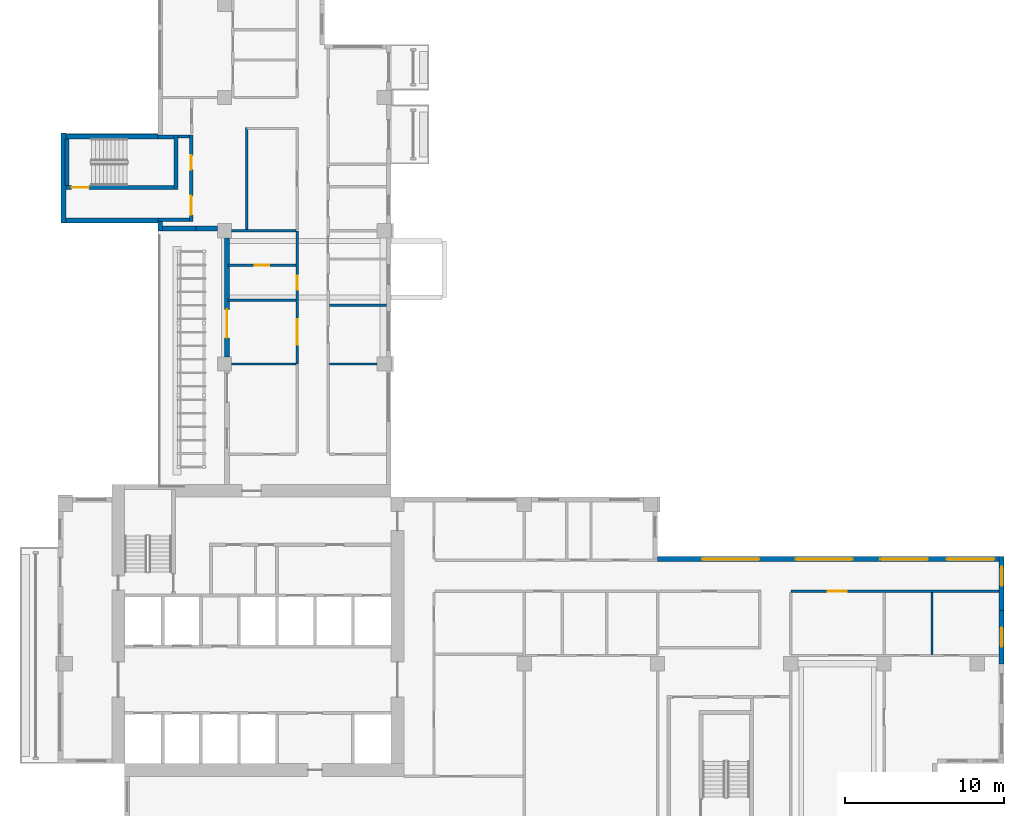
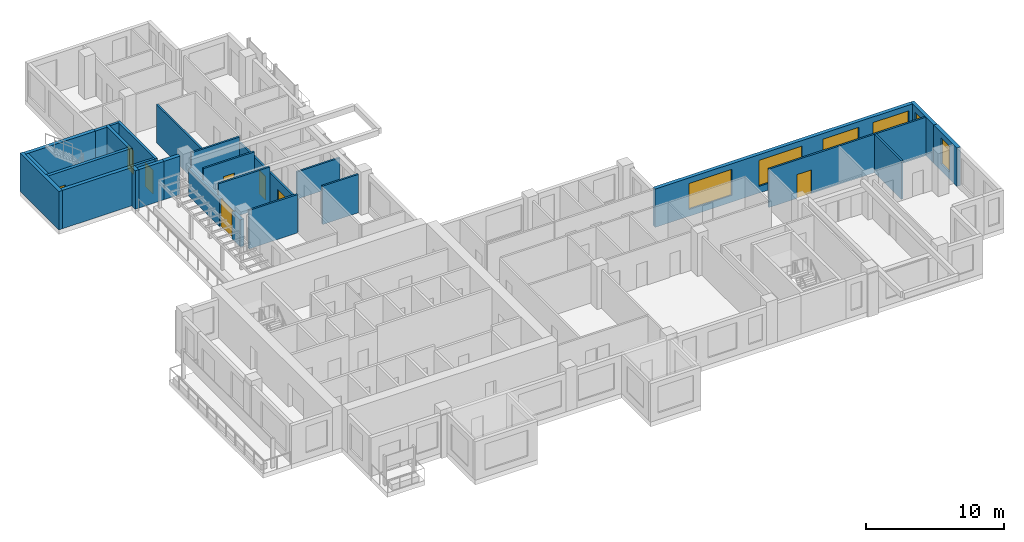
# One storey, part 8 of 14: 27 walls, 8 doors, 6 windows, 14 openings.
"""IFC4 building model written with IfcOpenShell, lengths in metres."""

from ifc_helpers import new_model, si_unit, direction, frame, frame_2d, origin, place, context, subcontext, project, spatial, rectangle, extrude, source, transform, mapped, material, layer, layer_set, type_object, element, fill, save


model = new_model("IFC4")

# Units and contexts
model_context = context("Model", 3, precision=1e-05, world=origin(), true_north=direction((0.0, 1.0)))
body_context = subcontext(model_context, "Body", "Model", "MODEL_VIEW")
ifc_project = project(units=[si_unit("LENGTHUNIT", "METRE"), si_unit("AREAUNIT", "SQUARE_METRE"), si_unit("VOLUMEUNIT", "CUBIC_METRE"), si_unit("PLANEANGLEUNIT", "RADIAN"), si_unit("MASSUNIT", "GRAM", prefix="KILO")], contexts=[model_context])

# Site, building, storey
site_placement = place(None, origin())
site = spatial("IfcSite", under=ifc_project, at=site_placement, CompositionType="ELEMENT")
building_placement = place(site_placement, origin())
building = spatial("IfcBuilding", under=site, at=building_placement, Name="Aurelian Terraces", CompositionType="ELEMENT")
storey_placement = place(building_placement, frame((0.0, 0.0, 185.4)))
storey = spatial("IfcBuildingStorey", under=building, at=storey_placement, Name="L40", CompositionType="ELEMENT", Elevation=185.4)

# Wall
ifc_material_1 = material(Name="Terracotta rainscreen cladding", Category="masonry")
ifc_layer_1 = layer(ifc_material_1, 0.3)
ifc_layer_set_1 = layer_set([ifc_layer_1], Name="EW-300")
wall_type_1 = type_object("IfcWallType", Name="EW-300", PredefinedType="STANDARD", material=ifc_layer_set_1)
wall_1_placement = place(storey_placement, frame((8.7, 37.95, 0.0), z_axis=(0.0, 0.0, 1.0), x_axis=(1.0, 0.0, 0.0)))
element("IfcWall", 1, at=wall_1_placement, inside=storey, type_object=wall_type_1, Name="External wall L40 F17.33", PredefinedType="STANDARD", context=body_context, shape_type="SweptSolid", body=[
    extrude(rectangle(XDim=1.35, YDim=0.3, at=frame_2d((0.675, 0.0))), origin(), (0.0, 0.0, 1.0), 3.4),
])

# Wall, opening, door
wall_2_placement = place(storey_placement, frame((10.65, 37.35, 0.0), z_axis=(0.0, 0.0, 1.0), x_axis=(0.0, -1.0, 0.0)))
wall_2 = element("IfcWall", 2, at=wall_2_placement, inside=storey, type_object=wall_type_1, Name="External wall L40 F18.34", PredefinedType="STANDARD", context=body_context, shape_type="SweptSolid", body=[
    extrude(rectangle(XDim=7.5, YDim=0.3, at=frame_2d((3.75, 0.0))), origin(), (0.0, 0.0, 1.0), 2.4),
])
shared_shape_1 = source(origin(), body_context, "Body", "SweptSolid", [
    extrude(rectangle(XDim=1.8, YDim=2.4, at=frame_2d((0.9, 1.2))), frame((0.0, 0.16, 0.0), z_axis=(0.0, -1.0, 0.0), x_axis=(1.0, 0.0, 0.0)), (0.0, 0.0, 1.0), 0.32),
])
opening_1_placement = place(wall_2_placement, frame((4.5, 0.0, 0.0)))
opening_1 = element("IfcOpeningElement", 3, at=opening_1_placement, cuts=wall_2, Name="Opening 84004", PredefinedType="OPENING", context=body_context, shape_type="MappedRepresentation", body=[
    mapped(shared_shape_1, transform((0.0, 0.0, 0.0), scale=1.0)),
])
ifc_material_2 = material(Name="Clear glazing", Category="glass")
door_type_1 = type_object("IfcDoorType", Name="BD-1800x2400", OperationType="SLIDING_TO_LEFT", PredefinedType="DOOR", material=ifc_material_2)
shared_shape_2 = source(origin(), body_context, "Body", "SweptSolid", [
    extrude(rectangle(XDim=1.8, YDim=2.4, at=frame_2d((0.9, 1.2))), frame((0.0, 0.025, 0.0), z_axis=(0.0, -1.0, 0.0), x_axis=(1.0, 0.0, 0.0)), (0.0, 0.0, 1.0), 0.05),
])
door_1_placement = place(opening_1_placement, origin())
door_1 = element("IfcDoor", 4, at=door_1_placement, inside=storey, type_object=door_type_1, Name="Terrace door L40 L40-F18-34.2", OperationType="SLIDING_TO_LEFT", OverallHeight=2.4, OverallWidth=1.8, PredefinedType="DOOR", context=body_context, shape_type="MappedRepresentation", body=[
    mapped(shared_shape_2, transform((0.0, 0.0, 0.0), scale=1.0)),
])
fill(opening_1, door_1)

# Wall, openings, doors
ifc_material_3 = material(Name="Gypsum board on steel studs", Category="steel")
ifc_layer_2 = layer(ifc_material_3, 0.15)
ifc_layer_set_2 = layer_set([ifc_layer_2], Name="Fire partition 150")
wall_type_2 = type_object("IfcWallType", Name="Fire partition 150", PredefinedType="PARTITIONING", material=ifc_layer_set_2)
wall_3_placement = place(storey_placement, frame((15.075, 29.4, 0.0), z_axis=(0.0, 0.0, 1.0), x_axis=(0.0, 1.0, 0.0)))
wall_3 = element("IfcWall", 5, at=wall_3_placement, inside=storey, type_object=wall_type_2, Name="Corridor wall", PredefinedType="PARTITIONING", context=body_context, shape_type="SweptSolid", body=[
    extrude(rectangle(XDim=8.4, YDim=0.15, at=frame_2d((4.2, 0.0))), origin(), (0.0, 0.0, 1.0), 2.9),
])
shared_shape_3 = source(origin(), body_context, "Body", "SweptSolid", [
    extrude(rectangle(XDim=1.6, YDim=2.1, at=frame_2d((0.8, 1.05))), frame((0.0, 0.085, 0.0), z_axis=(0.0, -1.0, 0.0), x_axis=(1.0, 0.0, 0.0)), (0.0, 0.0, 1.0), 0.17),
])
opening_2_placement = place(wall_3_placement, frame((1.2112, 0.0, 0.0)))
opening_2 = element("IfcOpeningElement", 6, at=opening_2_placement, cuts=wall_3, Name="Opening 740024", PredefinedType="OPENING", context=body_context, shape_type="MappedRepresentation", body=[
    mapped(shared_shape_3, transform((0.0, 0.0, 0.0), scale=1.0)),
])
shared_shape_4 = source(origin(), body_context, "Body", "SweptSolid", [
    extrude(rectangle(XDim=0.9, YDim=2.1, at=frame_2d((0.45, 1.05))), frame((0.0, 0.085, 0.0), z_axis=(0.0, -1.0, 0.0), x_axis=(1.0, 0.0, 0.0)), (0.0, 0.0, 1.0), 0.17),
])
opening_3_placement = place(wall_3_placement, frame((4.6776, 0.0, 0.0)))
opening_3 = element("IfcOpeningElement", 7, at=opening_3_placement, cuts=wall_3, Name="Opening 740025", PredefinedType="OPENING", context=body_context, shape_type="MappedRepresentation", body=[
    mapped(shared_shape_4, transform((0.0, 0.0, 0.0), scale=1.0)),
])
ifc_material_4 = material(Name="Steel door leaf", Category="steel")
door_type_2 = type_object("IfcDoorType", Name="Entrance fire door 900x2100 right", OperationType="SINGLE_SWING_RIGHT", PredefinedType="DOOR", material=ifc_material_4)
shared_shape_5 = source(origin(), body_context, "Body", "SweptSolid", [
    extrude(rectangle(XDim=0.9, YDim=2.1, at=frame_2d((0.45, 1.05))), frame((0.0, 0.025, 0.0), z_axis=(0.0, -1.0, 0.0), x_axis=(1.0, 0.0, 0.0)), (0.0, 0.0, 1.0), 0.05),
])
door_2_placement = place(opening_3_placement, origin())
door_2 = element("IfcDoor", 8, at=door_2_placement, inside=storey, type_object=door_type_2, Name="Door 740025", OperationType="SINGLE_SWING_RIGHT", OverallHeight=2.1, OverallWidth=0.9, PredefinedType="DOOR", context=body_context, shape_type="MappedRepresentation", body=[
    mapped(shared_shape_5, transform((0.0, 0.0, 0.0), scale=1.0)),
])
fill(opening_3, door_2)
door_type_3 = type_object("IfcDoorType", Name="Entrance fire door 1600x2100 right", OperationType="SINGLE_SWING_RIGHT", PredefinedType="DOOR", material=ifc_material_4)
shared_shape_6 = source(origin(), body_context, "Body", "SweptSolid", [
    extrude(rectangle(XDim=1.6, YDim=2.1, at=frame_2d((0.8, 1.05))), frame((0.0, 0.025, 0.0), z_axis=(0.0, -1.0, 0.0), x_axis=(1.0, 0.0, 0.0)), (0.0, 0.0, 1.0), 0.05),
])
door_3_placement = place(opening_2_placement, origin())
door_3 = element("IfcDoor", 9, at=door_3_placement, inside=storey, type_object=door_type_3, Name="Door 740024", OperationType="SINGLE_SWING_RIGHT", OverallHeight=2.1, OverallWidth=1.6, PredefinedType="DOOR", context=body_context, shape_type="MappedRepresentation", body=[
    mapped(shared_shape_6, transform((0.0, 0.0, 0.0), scale=1.0)),
])
fill(opening_2, door_3)

# Walls
ifc_layer_3 = layer(ifc_material_3, 0.15)
ifc_layer_set_3 = layer_set([ifc_layer_3], Name="Partition 150")
wall_type_3 = type_object("IfcWallType", Name="Partition 150", PredefinedType="PARTITIONING", material=ifc_layer_set_3)
wall_4_placement = place(storey_placement, frame((17.1, 33.1133, 0.0), z_axis=(0.0, 0.0, 1.0), x_axis=(1.0, 0.0, 0.0)))
element("IfcWall", 10, at=wall_4_placement, inside=storey, type_object=wall_type_3, Name="Partition", PredefinedType="PARTITIONING", context=body_context, shape_type="SweptSolid", body=[
    extrude(rectangle(XDim=3.6, YDim=0.15, at=frame_2d((1.8, 0.0))), origin(), (0.0, 0.0, 1.0), 2.4),
])
ifc_material_5 = material(Name="Concrete fc' 40 MPa", Category="concrete")
ifc_layer_4 = layer(ifc_material_5, 0.3)
ifc_layer_set_4 = layer_set([ifc_layer_4], Name="STAIR BAY WALL 300")
wall_type_4 = type_object("IfcWallType", Name="STAIR BAY WALL 300", PredefinedType="SOLIDWALL", material=ifc_layer_set_4)
wall_5_placement = place(storey_placement, frame((6.6, 37.95, 0.0), z_axis=(0.0, 0.0, 1.0), x_axis=(1.0, 0.0, 0.0)))
element("IfcWall", 11, at=wall_5_placement, inside=storey, type_object=wall_type_4, Name="Stair bay wall L40 F17.33", PredefinedType="SOLIDWALL", context=body_context, shape_type="SweptSolid", body=[
    extrude(rectangle(XDim=2.1, YDim=0.3, at=frame_2d((1.05, 0.0))), origin(), (0.0, 0.0, 1.0), 3.4),
])
shared_shape_7 = source(origin(), body_context, "Body", "SweptSolid", [
    extrude(rectangle(XDim=6.1, YDim=0.3, at=frame_2d((3.05, 0.0))), origin(), (0.0, 0.0, 1.0), 3.4),
])
for number, where, z_axis, x_axis, name in (
    (12, (6.3, 43.75, 0.0), (0.0, 0.0, 1.0), (-1.0, 0.0, 0.0), "Stair bay wall L40 F13.29"),
    (13, (0.2, 38.45, 0.0), (0.0, 0.0, 1.0), (1.0, 0.0, 0.0), "Stair bay wall L40 F15.31"),
):
    element("IfcWall", number, at=place(storey_placement, frame(where, z_axis=z_axis, x_axis=x_axis)), inside=storey, type_object=wall_type_4, Name=name, PredefinedType="SOLIDWALL", context=body_context, shape_type="MappedRepresentation", body=[
        mapped(shared_shape_7, transform((0.0, 0.0, 0.0), scale=1.0)),
    ])

# Wall, opening, window
shared_shape_8 = source(origin(), body_context, "Body", "SweptSolid", [
    extrude(rectangle(XDim=3.375, YDim=0.3, at=frame_2d((1.6875, 0.0))), origin(), (0.0, 0.0, 1.0), 3.4),
])
wall_6_placement = place(storey_placement, frame((59.49, 10.5, 0.0), z_axis=(0.0, 0.0, 1.0), x_axis=(0.0, 1.0, 0.0)))
wall_6 = element("IfcWall", 14, at=wall_6_placement, inside=storey, type_object=wall_type_1, Name="External wall L40 F04.13", PredefinedType="STANDARD", context=body_context, shape_type="MappedRepresentation", body=[
    mapped(shared_shape_8, transform((0.0, 0.0, 0.0), scale=1.0)),
])
shared_shape_9 = source(origin(), body_context, "Body", "SweptSolid", [
    extrude(rectangle(XDim=1.2, YDim=2.3, at=frame_2d((0.6, 1.15))), frame((0.0, 0.16, 0.0), z_axis=(0.0, -1.0, 0.0), x_axis=(1.0, 0.0, 0.0)), (0.0, 0.0, 1.0), 0.32),
])
opening_4_placement = place(wall_6_placement, frame((1.0875, 0.0, 0.6)))
opening_4 = element("IfcOpeningElement", 15, at=opening_4_placement, cuts=wall_6, Name="Opening W1223", PredefinedType="OPENING", context=body_context, shape_type="MappedRepresentation", body=[
    mapped(shared_shape_9, transform((0.0, 0.0, 0.0), scale=1.0)),
])
window_type_1 = type_object("IfcWindowType", Name="W-1200x2300", PartitioningType="SINGLE_PANEL", PredefinedType="WINDOW", material=ifc_material_2)
shared_shape_10 = source(origin(), body_context, "Body", "SweptSolid", [
    extrude(rectangle(XDim=1.2, YDim=2.3, at=frame_2d((0.6, 1.15))), frame((0.0, 0.03, 0.0), z_axis=(0.0, -1.0, 0.0), x_axis=(1.0, 0.0, 0.0)), (0.0, 0.0, 1.0), 0.06),
])
window_1_placement = place(opening_4_placement, origin())
window_1 = element("IfcWindow", 16, at=window_1_placement, inside=storey, type_object=window_type_1, Name="Window L40 L40-F04-13-0", OverallHeight=2.3, OverallWidth=1.2, PartitioningType="SINGLE_PANEL", PredefinedType="WINDOW", context=body_context, shape_type="MappedRepresentation", body=[
    mapped(shared_shape_10, transform((0.0, 0.0, 0.0), scale=1.0)),
])
fill(opening_4, window_1)

wall_7_placement = place(storey_placement, frame((59.49, 13.875, 0.0), z_axis=(0.0, 0.0, 1.0), x_axis=(0.0, 1.0, 0.0)))
wall_7 = element("IfcWall", 17, at=wall_7_placement, inside=storey, type_object=wall_type_1, Name="External wall L40 F04.14", PredefinedType="STANDARD", context=body_context, shape_type="MappedRepresentation", body=[
    mapped(shared_shape_8, transform((0.0, 0.0, 0.0), scale=1.0)),
])
opening_5_placement = place(wall_7_placement, frame((1.5312, 0.0, 0.6)))
opening_5 = element("IfcOpeningElement", 18, at=opening_5_placement, cuts=wall_7, Name="Opening W1223", PredefinedType="OPENING", context=body_context, shape_type="MappedRepresentation", body=[
    mapped(shared_shape_9, transform((0.0, 0.0, 0.0), scale=1.0)),
])
window_2_placement = place(opening_5_placement, origin())
window_2 = element("IfcWindow", 19, at=window_2_placement, inside=storey, type_object=window_type_1, Name="Window L40 L40-F04-14-P0", OverallHeight=2.3, OverallWidth=1.2, PartitioningType="SINGLE_PANEL", PredefinedType="WINDOW", context=body_context, shape_type="MappedRepresentation", body=[
    mapped(shared_shape_10, transform((0.0, 0.0, 0.0), scale=1.0)),
])
fill(opening_5, window_2)

# Wall, openings, windows
shared_shape_11 = source(origin(), body_context, "Body", "SweptSolid", [
    extrude(rectangle(XDim=21.84, YDim=0.3, at=frame_2d((10.92, 0.0))), origin(), (0.0, 0.0, 1.0), 3.4),
])
wall_8_placement = place(storey_placement, frame((59.64, 17.1, 0.0), z_axis=(0.0, 0.0, 1.0), x_axis=(-1.0, 0.0, 0.0)))
wall_8 = element("IfcWall", 20, at=wall_8_placement, inside=storey, type_object=wall_type_1, Name="External wall L40 F05.15", PredefinedType="STANDARD", context=body_context, shape_type="MappedRepresentation", body=[
    mapped(shared_shape_11, transform((0.0, 0.0, 0.0), scale=1.0)),
])
shared_shape_12 = source(origin(), body_context, "Body", "SweptSolid", [
    extrude(rectangle(XDim=3.0, YDim=2.3, at=frame_2d((1.5, 1.15))), frame((0.0, 0.16, 0.0), z_axis=(0.0, -1.0, 0.0), x_axis=(1.0, 0.0, 0.0)), (0.0, 0.0, 1.0), 0.32),
])
opening_6_placement = place(wall_8_placement, frame((0.6, 0.0, 0.6)))
opening_6 = element("IfcOpeningElement", 21, at=opening_6_placement, cuts=wall_8, Name="Opening W3023", PredefinedType="OPENING", context=body_context, shape_type="MappedRepresentation", body=[
    mapped(shared_shape_12, transform((0.0, 0.0, 0.0), scale=1.0)),
])
opening_7_placement = place(wall_8_placement, frame((4.8, 0.0, 0.6)))
opening_7 = element("IfcOpeningElement", 22, at=opening_7_placement, cuts=wall_8, Name="Opening W3023", PredefinedType="OPENING", context=body_context, shape_type="MappedRepresentation", body=[
    mapped(shared_shape_12, transform((0.0, 0.0, 0.0), scale=1.0)),
])
shared_shape_13 = source(origin(), body_context, "Body", "SweptSolid", [
    extrude(rectangle(XDim=3.6, YDim=2.3, at=frame_2d((1.8, 1.15))), frame((0.0, 0.16, 0.0), z_axis=(0.0, -1.0, 0.0), x_axis=(1.0, 0.0, 0.0)), (0.0, 0.0, 1.0), 0.32),
])
opening_8_placement = place(wall_8_placement, frame((9.54, 0.0, 0.6)))
opening_8 = element("IfcOpeningElement", 23, at=opening_8_placement, cuts=wall_8, Name="Opening W3623", PredefinedType="OPENING", context=body_context, shape_type="MappedRepresentation", body=[
    mapped(shared_shape_13, transform((0.0, 0.0, 0.0), scale=1.0)),
])
opening_9_placement = place(wall_8_placement, frame((15.42, 0.0, 0.6)))
opening_9 = element("IfcOpeningElement", 24, at=opening_9_placement, cuts=wall_8, Name="Opening W3623", PredefinedType="OPENING", context=body_context, shape_type="MappedRepresentation", body=[
    mapped(shared_shape_13, transform((0.0, 0.0, 0.0), scale=1.0)),
])
window_type_2 = type_object("IfcWindowType", Name="W-3600x2300", PartitioningType="SINGLE_PANEL", PredefinedType="WINDOW", material=ifc_material_2)
shared_shape_14 = source(origin(), body_context, "Body", "SweptSolid", [
    extrude(rectangle(XDim=3.6, YDim=2.3, at=frame_2d((1.8, 1.15))), frame((0.0, 0.03, 0.0), z_axis=(0.0, -1.0, 0.0), x_axis=(1.0, 0.0, 0.0)), (0.0, 0.0, 1.0), 0.06),
])
window_3_placement = place(opening_8_placement, origin())
window_3 = element("IfcWindow", 25, at=window_3_placement, inside=storey, type_object=window_type_2, Name="Window L40 L40-F05-15-2", OverallHeight=2.3, OverallWidth=3.6, PartitioningType="SINGLE_PANEL", PredefinedType="WINDOW", context=body_context, shape_type="MappedRepresentation", body=[
    mapped(shared_shape_14, transform((0.0, 0.0, 0.0), scale=1.0)),
])
fill(opening_8, window_3)
window_4_placement = place(opening_9_placement, origin())
window_4 = element("IfcWindow", 26, at=window_4_placement, inside=storey, type_object=window_type_2, Name="Window L40 L40-F05-15-3", OverallHeight=2.3, OverallWidth=3.6, PartitioningType="SINGLE_PANEL", PredefinedType="WINDOW", context=body_context, shape_type="MappedRepresentation", body=[
    mapped(shared_shape_14, transform((0.0, 0.0, 0.0), scale=1.0)),
])
fill(opening_9, window_4)
window_type_3 = type_object("IfcWindowType", Name="W-3000x2300", PartitioningType="SINGLE_PANEL", PredefinedType="WINDOW", material=ifc_material_2)
shared_shape_15 = source(origin(), body_context, "Body", "SweptSolid", [
    extrude(rectangle(XDim=3.0, YDim=2.3, at=frame_2d((1.5, 1.15))), frame((0.0, 0.03, 0.0), z_axis=(0.0, -1.0, 0.0), x_axis=(1.0, 0.0, 0.0)), (0.0, 0.0, 1.0), 0.06),
])
window_5_placement = place(opening_6_placement, origin())
window_5 = element("IfcWindow", 27, at=window_5_placement, inside=storey, type_object=window_type_3, Name="Window L40 L40-F05-15-0", OverallHeight=2.3, OverallWidth=3.0, PartitioningType="SINGLE_PANEL", PredefinedType="WINDOW", context=body_context, shape_type="MappedRepresentation", body=[
    mapped(shared_shape_15, transform((0.0, 0.0, 0.0), scale=1.0)),
])
fill(opening_6, window_5)
window_6_placement = place(opening_7_placement, origin())
window_6 = element("IfcWindow", 28, at=window_6_placement, inside=storey, type_object=window_type_3, Name="Window L40 L40-F05-15-1", OverallHeight=2.3, OverallWidth=3.0, PartitioningType="SINGLE_PANEL", PredefinedType="WINDOW", context=body_context, shape_type="MappedRepresentation", body=[
    mapped(shared_shape_15, transform((0.0, 0.0, 0.0), scale=1.0)),
])
fill(opening_7, window_6)

# Walls
shared_shape_16 = source(origin(), body_context, "Body", "SweptSolid", [
    extrude(rectangle(XDim=5.65, YDim=0.3, at=frame_2d((2.825, 0.0))), origin(), (0.0, 0.0, 1.0), 3.4),
])
wall_9_placement = place(storey_placement, frame((0.35, 43.95, 0.0), z_axis=(0.0, 0.0, 1.0), x_axis=(0.0, -1.0, 0.0)))
element("IfcWall", 29, at=wall_9_placement, inside=storey, type_object=wall_type_4, Name="Stair bay wall L40 F14.30", PredefinedType="SOLIDWALL", context=body_context, shape_type="MappedRepresentation", body=[
    mapped(shared_shape_16, transform((0.0, 0.0, 0.0), scale=1.0)),
])
shared_shape_17 = source(origin(), body_context, "Body", "SweptSolid", [
    extrude(rectangle(XDim=0.6, YDim=0.3, at=frame_2d((0.3, 0.0))), origin(), (0.0, 0.0, 1.0), 3.4),
])
wall_10_placement = place(storey_placement, frame((6.45, 38.4, 0.0), z_axis=(0.0, 0.0, 1.0), x_axis=(0.0, -1.0, 0.0)))
element("IfcWall", 30, at=wall_10_placement, inside=storey, type_object=wall_type_1, Name="External wall L40 F16.32", PredefinedType="STANDARD", context=body_context, shape_type="MappedRepresentation", body=[
    mapped(shared_shape_17, transform((0.0, 0.0, 0.0), scale=1.0)),
])

# Wall, opening, door
ifc_layer_5 = layer(ifc_material_5, 0.25)
ifc_layer_set_5 = layer_set([ifc_layer_5], Name="Stair enclosure wall 250")
wall_type_5 = type_object("IfcWallType", Name="Stair enclosure wall 250", PredefinedType="SOLIDWALL", material=ifc_layer_set_5)
shared_shape_18 = source(origin(), body_context, "Body", "SweptSolid", [
    extrude(rectangle(XDim=7.0, YDim=0.25, at=frame_2d((3.5, 0.0))), origin(), (0.0, 0.0, 1.0), 3.4),
])
wall_11_placement = place(storey_placement, frame((0.3, 40.525, 0.0), z_axis=(0.0, 0.0, 1.0), x_axis=(1.0, 0.0, 0.0)))
wall_11 = element("IfcWall", 31, at=wall_11_placement, inside=storey, type_object=wall_type_5, Name="L40 core wall ST-S3-W", PredefinedType="SOLIDWALL", context=body_context, shape_type="MappedRepresentation", body=[
    mapped(shared_shape_18, transform((0.0, 0.0, 0.0), scale=1.0)),
])
shared_shape_19 = source(origin(), body_context, "Body", "SweptSolid", [
    extrude(rectangle(XDim=1.1, YDim=2.1, at=frame_2d((0.55, 1.05))), frame((0.0, 0.135, 0.0), z_axis=(0.0, -1.0, 0.0), x_axis=(1.0, 0.0, 0.0)), (0.0, 0.0, 1.0), 0.27),
])
opening_10_placement = place(wall_11_placement, frame((0.55, 0.0, 0.0)))
opening_10 = element("IfcOpeningElement", 32, at=opening_10_placement, cuts=wall_11, Name="Opening 64318", PredefinedType="OPENING", context=body_context, shape_type="MappedRepresentation", body=[
    mapped(shared_shape_19, transform((0.0, 0.0, 0.0), scale=1.0)),
])
door_type_4 = type_object("IfcDoorType", Name="Core fire door 1100x2100 right", OperationType="SINGLE_SWING_RIGHT", PredefinedType="DOOR", material=ifc_material_4)
shared_shape_20 = source(origin(), body_context, "Body", "SweptSolid", [
    extrude(rectangle(XDim=1.1, YDim=2.1, at=frame_2d((0.55, 1.05))), frame((0.0, 0.025, 0.0), z_axis=(0.0, -1.0, 0.0), x_axis=(1.0, 0.0, 0.0)), (0.0, 0.0, 1.0), 0.05),
])
door_4_placement = place(opening_10_placement, origin())
door_4 = element("IfcDoor", 33, at=door_4_placement, inside=storey, type_object=door_type_4, Name="Stair door 64318", OperationType="SINGLE_SWING_RIGHT", OverallHeight=2.1, OverallWidth=1.1, PredefinedType="DOOR", context=body_context, shape_type="MappedRepresentation", body=[
    mapped(shared_shape_20, transform((0.0, 0.0, 0.0), scale=1.0)),
])
fill(opening_10, door_4)

# Walls
shared_shape_21 = source(origin(), body_context, "Body", "SweptSolid", [
    extrude(rectangle(XDim=3.45, YDim=0.25, at=frame_2d((1.725, 0.0))), origin(), (0.0, 0.0, 1.0), 3.4),
])
wall_12_placement = place(storey_placement, frame((7.425, 40.4, 0.0), z_axis=(0.0, 0.0, 1.0), x_axis=(0.0, 1.0, 0.0)))
element("IfcWall", 34, at=wall_12_placement, inside=storey, type_object=wall_type_5, Name="L40 core wall ST-S3-N", PredefinedType="SOLIDWALL", context=body_context, shape_type="MappedRepresentation", body=[
    mapped(shared_shape_21, transform((0.0, 0.0, 0.0), scale=1.0)),
])
shared_shape_22 = source(origin(), body_context, "Body", "SweptSolid", [
    extrude(rectangle(XDim=2.95, YDim=0.25, at=frame_2d((1.475, 0.0))), origin(), (0.0, 0.0, 1.0), 3.4),
])
wall_13_placement = place(storey_placement, frame((0.575, 40.65, 0.0), z_axis=(0.0, 0.0, 1.0), x_axis=(0.0, 1.0, 0.0)))
element("IfcWall", 35, at=wall_13_placement, inside=storey, type_object=wall_type_5, Name="L40 core wall ST-S3-SS", PredefinedType="SOLIDWALL", context=body_context, shape_type="MappedRepresentation", body=[
    mapped(shared_shape_22, transform((0.0, 0.0, 0.0), scale=1.0)),
])

# Wall, openings, doors
ifc_layer_6 = layer(ifc_material_3, 0.2)
ifc_layer_set_6 = layer_set([ifc_layer_6], Name="Core partition 200")
wall_type_6 = type_object("IfcWallType", Name="Core partition 200", PredefinedType="PARTITIONING", material=ifc_layer_set_6)
shared_shape_23 = source(origin(), body_context, "Body", "SweptSolid", [
    extrude(rectangle(XDim=5.45, YDim=0.2, at=frame_2d((2.725, 0.0))), origin(), (0.0, 0.0, 1.0), 3.4),
])
wall_14_placement = place(storey_placement, frame((8.4, 38.4, 0.0), z_axis=(0.0, 0.0, 1.0), x_axis=(0.0, 1.0, 0.0)))
wall_14 = element("IfcWall", 36, at=wall_14_placement, inside=storey, type_object=wall_type_6, Name="L40 core wall ST-S3-BN", PredefinedType="PARTITIONING", context=body_context, shape_type="MappedRepresentation", body=[
    mapped(shared_shape_23, transform((0.0, 0.0, 0.0), scale=1.0)),
])
shared_shape_24 = source(origin(), body_context, "Body", "SweptSolid", [
    extrude(rectangle(XDim=1.2, YDim=2.1, at=frame_2d((0.6, 1.05))), frame((0.0, 0.11, 0.0), z_axis=(0.0, -1.0, 0.0), x_axis=(1.0, 0.0, 0.0)), (0.0, 0.0, 1.0), 0.22),
])
opening_11_placement = place(wall_14_placement, frame((0.4, 0.0, 0.0)))
opening_11 = element("IfcOpeningElement", 37, at=opening_11_placement, cuts=wall_14, Name="Opening 64319", PredefinedType="OPENING", context=body_context, shape_type="MappedRepresentation", body=[
    mapped(shared_shape_24, transform((0.0, 0.0, 0.0), scale=1.0)),
])
shared_shape_25 = source(origin(), body_context, "Body", "SweptSolid", [
    extrude(rectangle(XDim=0.9, YDim=2.1, at=frame_2d((0.45, 1.05))), frame((0.0, 0.11, 0.0), z_axis=(0.0, -1.0, 0.0), x_axis=(1.0, 0.0, 0.0)), (0.0, 0.0, 1.0), 0.22),
])
opening_12_placement = place(wall_14_placement, frame((3.25, 0.0, 0.0)))
opening_12 = element("IfcOpeningElement", 38, at=opening_12_placement, cuts=wall_14, Name="Opening 64320", PredefinedType="OPENING", context=body_context, shape_type="MappedRepresentation", body=[
    mapped(shared_shape_25, transform((0.0, 0.0, 0.0), scale=1.0)),
])
door_type_5 = type_object("IfcDoorType", Name="Core riser door 900x2100 right", OperationType="SINGLE_SWING_RIGHT", PredefinedType="DOOR", material=ifc_material_4)
door_5_placement = place(opening_12_placement, origin())
door_5 = element("IfcDoor", 39, at=door_5_placement, inside=storey, type_object=door_type_5, Name="Riser door 64320", OperationType="SINGLE_SWING_RIGHT", OverallHeight=2.1, OverallWidth=0.9, PredefinedType="DOOR", context=body_context, shape_type="MappedRepresentation", body=[
    mapped(shared_shape_5, transform((0.0, 0.0, 0.0), scale=1.0)),
])
fill(opening_12, door_5)
door_type_6 = type_object("IfcDoorType", Name="Core fire door 1200x2100", OperationType="SINGLE_SWING_LEFT", PredefinedType="DOOR", material=ifc_material_4)
shared_shape_26 = source(origin(), body_context, "Body", "SweptSolid", [
    extrude(rectangle(XDim=1.2, YDim=2.1, at=frame_2d((0.6, 1.05))), frame((0.0, 0.025, 0.0), z_axis=(0.0, -1.0, 0.0), x_axis=(1.0, 0.0, 0.0)), (0.0, 0.0, 1.0), 0.05),
])
door_6_placement = place(opening_11_placement, origin())
door_6 = element("IfcDoor", 40, at=door_6_placement, inside=storey, type_object=door_type_6, Name="Vestibule door 64319", OperationType="SINGLE_SWING_LEFT", OverallHeight=2.1, OverallWidth=1.2, PredefinedType="DOOR", context=body_context, shape_type="MappedRepresentation", body=[
    mapped(shared_shape_26, transform((0.0, 0.0, 0.0), scale=1.0)),
])
fill(opening_11, door_6)

# Walls
shared_shape_27 = source(origin(), body_context, "Body", "SweptSolid", [
    extrude(rectangle(XDim=0.75, YDim=0.2, at=frame_2d((0.375, 0.0))), origin(), (0.0, 0.0, 1.0), 3.4),
])
wall_15_placement = place(storey_placement, frame((7.55, 43.75, 0.0), z_axis=(0.0, 0.0, 1.0), x_axis=(1.0, 0.0, 0.0)))
element("IfcWall", 41, at=wall_15_placement, inside=storey, type_object=wall_type_6, Name="L40 core wall ST-S3-RE", PredefinedType="PARTITIONING", context=body_context, shape_type="MappedRepresentation", body=[
    mapped(shared_shape_27, transform((0.0, 0.0, 0.0), scale=1.0)),
])
shared_shape_28 = source(origin(), body_context, "Body", "SweptSolid", [
    extrude(rectangle(XDim=1.0, YDim=0.25, at=frame_2d((0.5, 0.0))), origin(), (0.0, 0.0, 1.0), 3.4),
])
wall_16_placement = place(storey_placement, frame((6.3, 43.725, 0.0), z_axis=(0.0, 0.0, 1.0), x_axis=(1.0, 0.0, 0.0)))
element("IfcWall", 42, at=wall_16_placement, inside=storey, type_object=wall_type_5, Name="L40 core wall ST-S3-E", PredefinedType="SOLIDWALL", context=body_context, shape_type="MappedRepresentation", body=[
    mapped(shared_shape_28, transform((0.0, 0.0, 0.0), scale=1.0)),
])
shared_shape_29 = source(origin(), body_context, "Body", "SweptSolid", [
    extrude(rectangle(XDim=2.0, YDim=0.2, at=frame_2d((1.0, 0.0))), origin(), (0.0, 0.0, 1.0), 3.4),
])
wall_17_placement = place(storey_placement, frame((6.3, 38.5, 0.0), z_axis=(0.0, 0.0, 1.0), x_axis=(1.0, 0.0, 0.0)))
element("IfcWall", 43, at=wall_17_placement, inside=storey, type_object=wall_type_6, Name="L40 core wall ST-S3-VW", PredefinedType="PARTITIONING", context=body_context, shape_type="MappedRepresentation", body=[
    mapped(shared_shape_29, transform((0.0, 0.0, 0.0), scale=1.0)),
])
shared_shape_30 = source(origin(), body_context, "Body", "SweptSolid", [
    extrude(rectangle(XDim=6.45, YDim=0.15, at=frame_2d((3.225, 0.0))), origin(), (0.0, 0.0, 1.0), 3.4),
])
wall_18_placement = place(storey_placement, frame((11.9, 44.325, 0.0), z_axis=(0.0, 0.0, 1.0), x_axis=(0.0, -1.0, 0.0)))
element("IfcWall", 44, at=wall_18_placement, inside=storey, type_object=wall_type_3, Name="Partition", PredefinedType="PARTITIONING", context=body_context, shape_type="MappedRepresentation", body=[
    mapped(shared_shape_30, transform((0.0, 0.0, 0.0), scale=1.0)),
])
shared_shape_31 = source(origin(), body_context, "Body", "SweptSolid", [
    extrude(rectangle(XDim=3.9, YDim=0.15, at=frame_2d((1.95, 0.0))), origin(), (0.0, 0.0, 1.0), 3.4),
])
wall_19_placement = place(storey_placement, frame((55.1027, 11.1, 0.0), z_axis=(0.0, 0.0, 1.0), x_axis=(0.0, 1.0, 0.0)))
element("IfcWall", 45, at=wall_19_placement, inside=storey, type_object=wall_type_3, Name="Partition", PredefinedType="PARTITIONING", context=body_context, shape_type="MappedRepresentation", body=[
    mapped(shared_shape_31, transform((0.0, 0.0, 0.0), scale=1.0)),
])

# Wall, opening, door
shared_shape_32 = source(origin(), body_context, "Body", "SweptSolid", [
    extrude(rectangle(XDim=13.14, YDim=0.15, at=frame_2d((6.57, 0.0))), origin(), (0.0, 0.0, 1.0), 3.4),
])
wall_20_placement = place(storey_placement, frame((59.34, 15.075, 0.0), z_axis=(0.0, 0.0, 1.0), x_axis=(-1.0, 0.0, 0.0)))
wall_20 = element("IfcWall", 46, at=wall_20_placement, inside=storey, type_object=wall_type_2, Name="Corridor wall", PredefinedType="PARTITIONING", context=body_context, shape_type="MappedRepresentation", body=[
    mapped(shared_shape_32, transform((0.0, 0.0, 0.0), scale=1.0)),
])
shared_shape_33 = source(origin(), body_context, "Body", "SweptSolid", [
    extrude(rectangle(XDim=1.2, YDim=2.1, at=frame_2d((0.6, 1.05))), frame((0.0, 0.085, 0.0), z_axis=(0.0, -1.0, 0.0), x_axis=(1.0, 0.0, 0.0)), (0.0, 0.0, 1.0), 0.17),
])
opening_13_placement = place(wall_20_placement, frame((9.6, 0.0, 0.0)))
opening_13 = element("IfcOpeningElement", 47, at=opening_13_placement, cuts=wall_20, Name="Opening 740011", PredefinedType="OPENING", context=body_context, shape_type="MappedRepresentation", body=[
    mapped(shared_shape_33, transform((0.0, 0.0, 0.0), scale=1.0)),
])
door_type_7 = type_object("IfcDoorType", Name="Entrance fire door 1200x2100 right", OperationType="SINGLE_SWING_RIGHT", PredefinedType="DOOR", material=ifc_material_4)
door_7_placement = place(opening_13_placement, origin())
door_7 = element("IfcDoor", 48, at=door_7_placement, inside=storey, type_object=door_type_7, Name="Door 740011", OperationType="SINGLE_SWING_RIGHT", OverallHeight=2.1, OverallWidth=1.2, PredefinedType="DOOR", context=body_context, shape_type="MappedRepresentation", body=[
    mapped(shared_shape_26, transform((0.0, 0.0, 0.0), scale=1.0)),
])
fill(opening_13, door_7)

# Walls
shared_shape_34 = source(origin(), body_context, "Body", "SweptSolid", [
    extrude(rectangle(XDim=4.051, YDim=0.15, at=frame_2d((2.0255, 0.0))), origin(), (0.0, 0.0, 1.0), 3.4),
])
wall_21_placement = place(storey_placement, frame((15.0, 29.4, 0.0), z_axis=(0.0, 0.0, 1.0), x_axis=(-1.0, 0.0, 0.0)))
element("IfcWall", 49, at=wall_21_placement, inside=storey, type_object=wall_type_3, Name="Partition", PredefinedType="PARTITIONING", context=body_context, shape_type="MappedRepresentation", body=[
    mapped(shared_shape_34, transform((0.0, 0.0, 0.0), scale=1.0)),
])
wall_22_placement = place(storey_placement, frame((15.0, 37.8, 0.0), z_axis=(0.0, 0.0, 1.0), x_axis=(-1.0, 0.0, 0.0)))
element("IfcWall", 50, at=wall_22_placement, inside=storey, type_object=wall_type_2, Name="Party wall", PredefinedType="PARTITIONING", context=body_context, shape_type="MappedRepresentation", body=[
    mapped(shared_shape_34, transform((0.0, 0.0, 0.0), scale=1.0)),
])
shared_shape_35 = source(origin(), body_context, "Body", "SweptSolid", [
    extrude(rectangle(XDim=3.001, YDim=0.15, at=frame_2d((1.5005, 0.0))), origin(), (0.0, 0.0, 1.0), 3.4),
])
wall_23_placement = place(storey_placement, frame((20.101, 29.4, 0.0), z_axis=(0.0, 0.0, 1.0), x_axis=(-1.0, 0.0, 0.0)))
element("IfcWall", 51, at=wall_23_placement, inside=storey, type_object=wall_type_3, Name="Partition", PredefinedType="PARTITIONING", context=body_context, shape_type="MappedRepresentation", body=[
    mapped(shared_shape_35, transform((0.0, 0.0, 0.0), scale=1.0)),
])
shared_shape_36 = source(origin(), body_context, "Body", "SweptSolid", [
    extrude(rectangle(XDim=4.295, YDim=0.15, at=frame_2d((2.1475, 0.0))), origin(), (0.0, 0.0, 1.0), 3.4),
])
wall_24_placement = place(storey_placement, frame((15.0, 33.4224, 0.0), z_axis=(0.0, 0.0, 1.0), x_axis=(-1.0, 0.0, 0.0)))
element("IfcWall", 52, at=wall_24_placement, inside=storey, type_object=wall_type_3, Name="Partition", PredefinedType="PARTITIONING", context=body_context, shape_type="MappedRepresentation", body=[
    mapped(shared_shape_36, transform((0.0, 0.0, 0.0), scale=1.0)),
])

# Wall, opening, door
wall_25_placement = place(storey_placement, frame((15.0, 35.6329, 0.0), z_axis=(0.0, 0.0, 1.0), x_axis=(-1.0, 0.0, 0.0)))
wall_25 = element("IfcWall", 53, at=wall_25_placement, inside=storey, type_object=wall_type_3, Name="Partition", PredefinedType="PARTITIONING", context=body_context, shape_type="MappedRepresentation", body=[
    mapped(shared_shape_36, transform((0.0, 0.0, 0.0), scale=1.0)),
])
opening_14_placement = place(wall_25_placement, frame((1.6975, 0.0, 0.0)))
opening_14 = element("IfcOpeningElement", 54, at=opening_14_placement, cuts=wall_25, Name="Opening 740037", PredefinedType="OPENING", context=body_context, shape_type="MappedRepresentation", body=[
    mapped(shared_shape_4, transform((0.0, 0.0, 0.0), scale=1.0)),
])
ifc_material_6 = material(Name="Timber door leaf", Category="wood")
door_type_8 = type_object("IfcDoorType", Name="Room door 900x2100 left", OperationType="SINGLE_SWING_LEFT", PredefinedType="DOOR", material=ifc_material_6)
door_8_placement = place(opening_14_placement, origin())
door_8 = element("IfcDoor", 55, at=door_8_placement, inside=storey, type_object=door_type_8, Name="Door 740037", OperationType="SINGLE_SWING_LEFT", OverallHeight=2.1, OverallWidth=0.9, PredefinedType="DOOR", context=body_context, shape_type="MappedRepresentation", body=[
    mapped(shared_shape_5, transform((0.0, 0.0, 0.0), scale=1.0)),
])
fill(opening_14, door_8)

save(model, "model.ifc")
